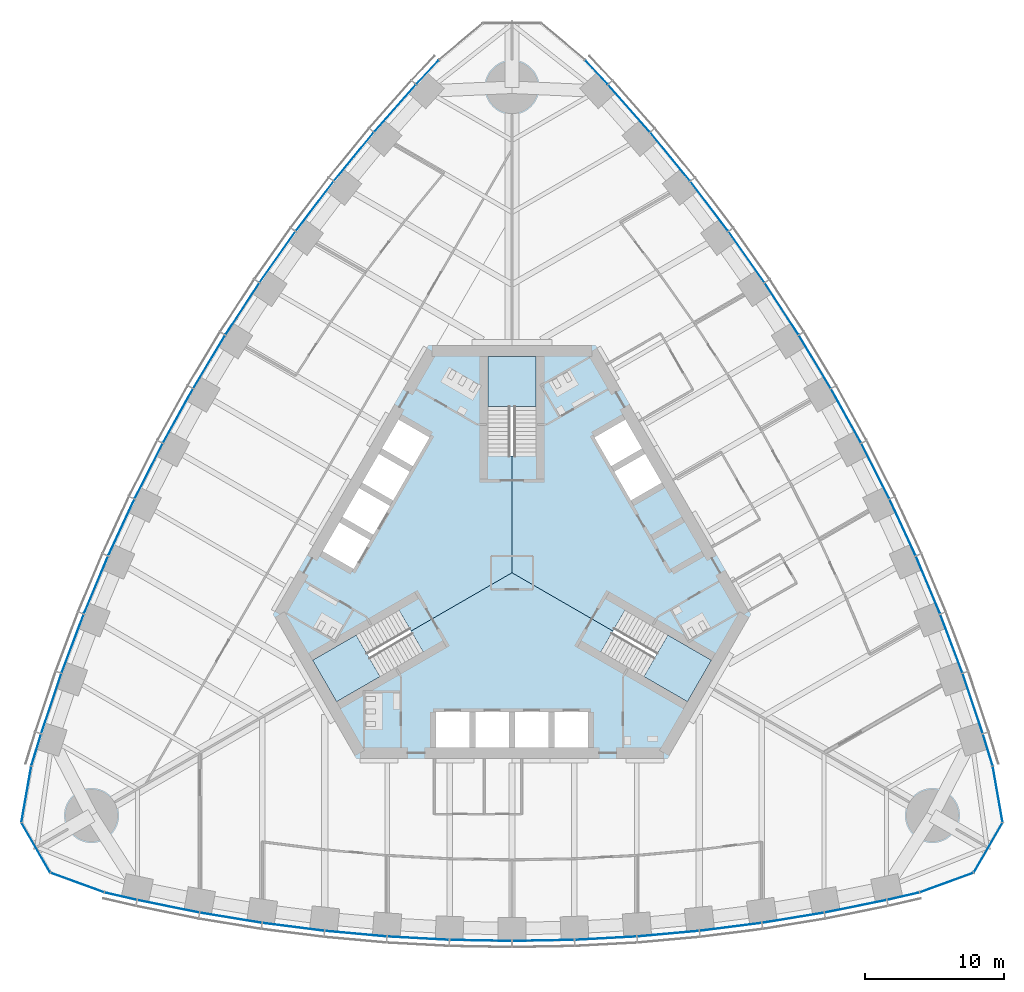
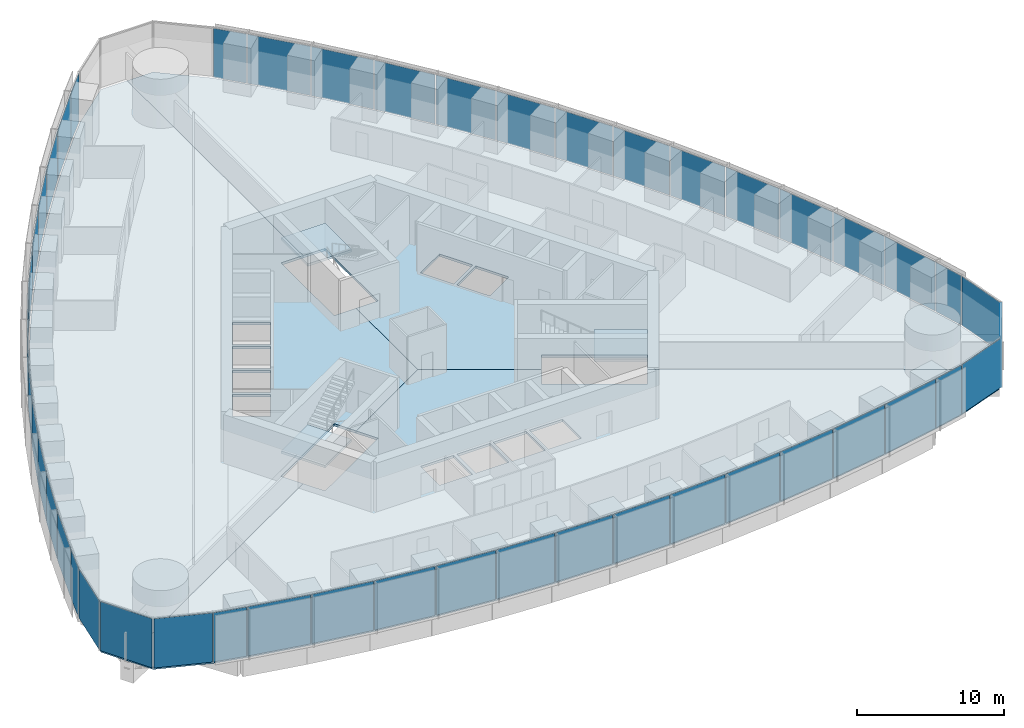
# One storey, part 9 of 18: 48 plates, 6 slabs, 8 elements without a shape of their own.
"""IFC4 building model written with IfcOpenShell, lengths in metres."""

from ifc_helpers import new_model, si_unit, direction, frame, origin, origin_2d, place, context, subcontext, project, spatial, polyline, rectangle, outline, extrude, material, layer, layer_set, type_object, element, aggregate, save


model = new_model("IFC4")

# Units and contexts
model_context = context("Model", 3, precision=1e-05, world=origin(), true_north=direction((0.0, 1.0)))
body_context = subcontext(model_context, "Body", "Model", "MODEL_VIEW")
ifc_project = project(units=[si_unit("LENGTHUNIT", "METRE"), si_unit("AREAUNIT", "SQUARE_METRE"), si_unit("VOLUMEUNIT", "CUBIC_METRE"), si_unit("PLANEANGLEUNIT", "RADIAN"), si_unit("MASSUNIT", "GRAM", prefix="KILO")], contexts=[model_context])

# Site, building, storey
site_placement = place(None, origin())
site = spatial("IfcSite", under=ifc_project, at=site_placement, CompositionType="ELEMENT")
building_placement = place(site_placement, origin())
building = spatial("IfcBuilding", under=site, at=building_placement, Name="Trefoil Bronze Tower", CompositionType="ELEMENT")
storey_placement = place(building_placement, frame((0.0, 0.0, 170.300048828125)))
storey = spatial("IfcBuildingStorey", under=building, at=storey_placement, Name="L39", CompositionType="ELEMENT", Elevation=170.300048828125)

# Curtain wall, plates
ifc_material_1 = material(Name="Tinted solar-control glass", Category="glass")
curtain_wall_type_1 = type_object("IfcCurtainWallType", Name="Bronze office curtain wall", PredefinedType="USERDEFINED", material=ifc_material_1)
curtain_wall_1_placement = place(storey_placement, origin())
curtain_wall_1 = element("IfcCurtainWall", 1, at=curtain_wall_1_placement, inside=storey, type_object=curtain_wall_type_1, Name="CW-A L39 F1", ObjectType="CURTAIN WALL", PredefinedType="USERDEFINED")
ifc_material_2 = material(Name="Tinted solar-control glass", Category="glass")
ifc_layer_1 = layer(ifc_material_2, 0.030029296875)
ifc_layer_set_1 = layer_set([ifc_layer_1], Name="Bronze office curtain wall glass panel")
plate_type_1 = type_object("IfcPlateType", Name="Bronze office curtain wall glass panel", PredefinedType="CURTAIN_PANEL", material=ifc_layer_set_1)
plate_1_placement = place(storey_placement, frame((-28.201416015625, -23.320068359375, 0.0), z_axis=(0.0, 0.0, 1.0), x_axis=(0.97420444715, -0.225667222151, 0.0)))
plate_1 = element("IfcPlate", 2, at=plate_1_placement, type_object=plate_type_1, Name="CW-A L39 F1 panel 1", PredefinedType="CURTAIN_PANEL", context=body_context, shape_type="SweptSolid", body=[
    extrude(rectangle(XDim=2.340087890625, YDim=0.030029296875, at=origin_2d()), origin(), (0.0, 0.0, 1.0), 4.080078125),
])
plate_2_placement = place(storey_placement, frame((-24.769775390625, -24.048828125, 0.0), z_axis=(0.0, 0.0, 1.0), x_axis=(0.980155155547, -0.198231861853, 0.0)))
plate_2 = element("IfcPlate", 3, at=plate_2_placement, type_object=plate_type_1, Name="CW-A L39 F1 panel 2", PredefinedType="CURTAIN_PANEL", context=body_context, shape_type="SweptSolid", body=[
    extrude(rectangle(XDim=4.51123046875, YDim=0.030029296875, at=origin_2d()), origin(), (0.0, 0.0, 1.0), 4.080078125),
])
plate_3_placement = place(storey_placement, frame((-20.26611328125, -24.87451171875, 0.0), z_axis=(0.0, 0.0, 1.0), x_axis=(0.986759655731, -0.162189339418, 0.0)))
plate_3 = element("IfcPlate", 4, at=plate_3_placement, type_object=plate_type_1, Name="CW-A L39 F1 panel 3", PredefinedType="CURTAIN_PANEL", context=body_context, shape_type="SweptSolid", body=[
    extrude(rectangle(XDim=4.48046875, YDim=0.030029296875, at=origin_2d()), origin(), (0.0, 0.0, 1.0), 4.080078125),
])
plate_4_placement = place(storey_placement, frame((-15.7626953125, -25.53076171875, 0.0), z_axis=(0.0, 0.0, 1.0), x_axis=(0.992011554286, -0.126147041833, 0.0)))
plate_4 = element("IfcPlate", 5, at=plate_4_placement, type_object=plate_type_1, Name="CW-A L39 F1 panel 4", PredefinedType="CURTAIN_PANEL", context=body_context, shape_type="SweptSolid", body=[
    extrude(rectangle(XDim=4.456298828125, YDim=0.030029296875, at=origin_2d()), origin(), (0.0, 0.0, 1.0), 4.080078125),
])
plate_5_placement = place(storey_placement, frame((-11.259033203125, -26.02099609375, 0.0), z_axis=(0.0, 0.0, 1.0), x_axis=(0.995932279146, -0.090104913044, 0.0)))
plate_5 = element("IfcPlate", 6, at=plate_5_placement, type_object=plate_type_1, Name="CW-A L39 F1 panel 5", PredefinedType="CURTAIN_PANEL", context=body_context, shape_type="SweptSolid", body=[
    extrude(rectangle(XDim=4.4384765625, YDim=0.030029296875, at=origin_2d()), origin(), (0.0, 0.0, 1.0), 4.080078125),
])
plate_6_placement = place(storey_placement, frame((-6.75537109375, -26.3466796875, 0.0), z_axis=(0.0, 0.0, 1.0), x_axis=(0.998537531923, -0.054062901701, 0.0)))
plate_6 = element("IfcPlate", 7, at=plate_6_placement, type_object=plate_type_1, Name="CW-A L39 F1 panel 6", PredefinedType="CURTAIN_PANEL", context=body_context, shape_type="SweptSolid", body=[
    extrude(rectangle(XDim=4.426513671875, YDim=0.030029296875, at=origin_2d()), origin(), (0.0, 0.0, 1.0), 4.080078125),
])
plate_7_placement = place(storey_placement, frame((-2.251708984375, -26.509033203125, 0.0), z_axis=(0.0, 0.0, 1.0), x_axis=(0.999837609322, -0.018020959612, 0.0)))
plate_7 = element("IfcPlate", 8, at=plate_7_placement, type_object=plate_type_1, Name="CW-A L39 F1 panel 7", PredefinedType="CURTAIN_PANEL", context=body_context, shape_type="SweptSolid", body=[
    extrude(rectangle(XDim=4.420654296875, YDim=0.030029296875, at=origin_2d()), origin(), (0.0, 0.0, 1.0), 4.080078125),
])
plate_8_placement = place(storey_placement, frame((2.251708984375, -26.509033203125, 0.0), z_axis=(0.0, 0.0, 1.0), x_axis=(0.999837609322, 0.018020959612, 0.0)))
plate_8 = element("IfcPlate", 9, at=plate_8_placement, type_object=plate_type_1, Name="CW-A L39 F1 panel 8", PredefinedType="CURTAIN_PANEL", context=body_context, shape_type="SweptSolid", body=[
    extrude(rectangle(XDim=4.420654296875, YDim=0.030029296875, at=origin_2d()), origin(), (0.0, 0.0, 1.0), 4.080078125),
])
plate_9_placement = place(storey_placement, frame((6.75537109375, -26.3466796875, 0.0), z_axis=(0.0, 0.0, 1.0), x_axis=(0.998537531923, 0.054062901701, 0.0)))
plate_9 = element("IfcPlate", 10, at=plate_9_placement, type_object=plate_type_1, Name="CW-A L39 F1 panel 9", PredefinedType="CURTAIN_PANEL", context=body_context, shape_type="SweptSolid", body=[
    extrude(rectangle(XDim=4.426513671875, YDim=0.030029296875, at=origin_2d()), origin(), (0.0, 0.0, 1.0), 4.080078125),
])
plate_10_placement = place(storey_placement, frame((11.259033203125, -26.02099609375, 0.0), z_axis=(0.0, 0.0, 1.0), x_axis=(0.995932279146, 0.090104913044, 0.0)))
plate_10 = element("IfcPlate", 11, at=plate_10_placement, type_object=plate_type_1, Name="CW-A L39 F1 panel 10", PredefinedType="CURTAIN_PANEL", context=body_context, shape_type="SweptSolid", body=[
    extrude(rectangle(XDim=4.4384765625, YDim=0.030029296875, at=origin_2d()), origin(), (0.0, 0.0, 1.0), 4.080078125),
])
plate_11_placement = place(storey_placement, frame((15.7626953125, -25.53076171875, 0.0), z_axis=(0.0, 0.0, 1.0), x_axis=(0.992011554286, 0.126147041833, 0.0)))
plate_11 = element("IfcPlate", 12, at=plate_11_placement, type_object=plate_type_1, Name="CW-A L39 F1 panel 11", PredefinedType="CURTAIN_PANEL", context=body_context, shape_type="SweptSolid", body=[
    extrude(rectangle(XDim=4.456298828125, YDim=0.030029296875, at=origin_2d()), origin(), (0.0, 0.0, 1.0), 4.080078125),
])
plate_12_placement = place(storey_placement, frame((20.26611328125, -24.87451171875, 0.0), z_axis=(0.0, 0.0, 1.0), x_axis=(0.986759655731, 0.162189339418, 0.0)))
plate_12 = element("IfcPlate", 13, at=plate_12_placement, type_object=plate_type_1, Name="CW-A L39 F1 panel 12", PredefinedType="CURTAIN_PANEL", context=body_context, shape_type="SweptSolid", body=[
    extrude(rectangle(XDim=4.48046875, YDim=0.030029296875, at=origin_2d()), origin(), (0.0, 0.0, 1.0), 4.080078125),
])
plate_13_placement = place(storey_placement, frame((24.769775390625, -24.048828125, 0.0), z_axis=(0.0, 0.0, 1.0), x_axis=(0.980155155547, 0.198231861853, 0.0)))
plate_13 = element("IfcPlate", 14, at=plate_13_placement, type_object=plate_type_1, Name="CW-A L39 F1 panel 13", PredefinedType="CURTAIN_PANEL", context=body_context, shape_type="SweptSolid", body=[
    extrude(rectangle(XDim=4.51123046875, YDim=0.030029296875, at=origin_2d()), origin(), (0.0, 0.0, 1.0), 4.080078125),
])
plate_14_placement = place(storey_placement, frame((28.201416015625, -23.320068359375, 0.0), z_axis=(0.0, 0.0, 1.0), x_axis=(0.97420444715, 0.225667222151, 0.0)))
plate_14 = element("IfcPlate", 15, at=plate_14_placement, type_object=plate_type_1, Name="CW-A L39 F1 panel 14", PredefinedType="CURTAIN_PANEL", context=body_context, shape_type="SweptSolid", body=[
    extrude(rectangle(XDim=2.340087890625, YDim=0.030029296875, at=origin_2d()), origin(), (0.0, 0.0, 1.0), 4.080078125),
])
aggregate(curtain_wall_1, [plate_1, plate_2, plate_3, plate_4, plate_5, plate_6, plate_7, plate_8, plate_9, plate_10, plate_11, plate_12, plate_13, plate_14])

curtain_wall_2_placement = place(storey_placement, origin())
curtain_wall_2 = element("IfcCurtainWall", 16, at=curtain_wall_2_placement, inside=storey, type_object=curtain_wall_type_1, Name="CW-A L39 F2", ObjectType="CURTAIN WALL", PredefinedType="USERDEFINED")
plate_15_placement = place(storey_placement, frame((34.296630859375, -12.762939453125, 0.0), z_axis=(0.0, 0.0, 1.0), x_axis=(-0.291668676391, 0.956519410787, 0.0)))
plate_15 = element("IfcPlate", 17, at=plate_15_placement, type_object=plate_type_1, Name="CW-A L39 F2 panel 1", PredefinedType="CURTAIN_PANEL", context=body_context, shape_type="SweptSolid", body=[
    extrude(rectangle(XDim=2.340087890625, YDim=0.030029296875, at=origin_2d()), origin(), (0.0, 0.0, 1.0), 4.080078125),
])
plate_16_placement = place(storey_placement, frame((33.2119140625, -9.4267578125, 0.0), z_axis=(0.0, 0.0, 1.0), x_axis=(-0.318403749569, 0.947955195281, 0.0)))
plate_16 = element("IfcPlate", 18, at=plate_16_placement, type_object=plate_type_1, Name="CW-A L39 F2 panel 2", PredefinedType="CURTAIN_PANEL", context=body_context, shape_type="SweptSolid", body=[
    extrude(rectangle(XDim=4.51123046875, YDim=0.030029296875, at=origin_2d()), origin(), (0.0, 0.0, 1.0), 4.080078125),
])
plate_17_placement = place(storey_placement, frame((31.675048828125, -5.11376953125, 0.0), z_axis=(0.0, 0.0, 1.0), x_axis=(-0.352919739707, 0.935653599002, 0.0)))
plate_17 = element("IfcPlate", 19, at=plate_17_placement, type_object=plate_type_1, Name="CW-A L39 F2 panel 3", PredefinedType="CURTAIN_PANEL", context=body_context, shape_type="SweptSolid", body=[
    extrude(rectangle(XDim=4.48046875, YDim=0.030029296875, at=origin_2d()), origin(), (0.0, 0.0, 1.0), 4.080078125),
])
plate_18_placement = place(storey_placement, frame((29.99169921875, -0.885498046875, 0.0), z_axis=(0.0, 0.0, 1.0), x_axis=(-0.386759234303, 0.922180727776, 0.0)))
plate_18 = element("IfcPlate", 20, at=plate_18_placement, type_object=plate_type_1, Name="CW-A L39 F2 panel 4", PredefinedType="CURTAIN_PANEL", context=body_context, shape_type="SweptSolid", body=[
    extrude(rectangle(XDim=4.456298828125, YDim=0.030029296875, at=origin_2d()), origin(), (0.0, 0.0, 1.0), 4.080078125),
])
plate_19_placement = place(storey_placement, frame((28.164306640625, 3.260009765625, 0.0), z_axis=(0.0, 0.0, 1.0), x_axis=(-0.419932995871, 0.907555110712, 0.0)))
plate_19 = element("IfcPlate", 21, at=plate_19_placement, type_object=plate_type_1, Name="CW-A L39 F2 panel 5", PredefinedType="CURTAIN_PANEL", context=body_context, shape_type="SweptSolid", body=[
    extrude(rectangle(XDim=4.4384765625, YDim=0.030029296875, at=origin_2d()), origin(), (0.0, 0.0, 1.0), 4.080078125),
])
plate_20_placement = place(storey_placement, frame((26.194580078125, 7.322998046875, 0.0), z_axis=(0.0, 0.0, 1.0), x_axis=(-0.452448919686, 0.891790320128, 0.0)))
plate_20 = element("IfcPlate", 22, at=plate_20_placement, type_object=plate_type_1, Name="CW-A L39 F2 panel 6", PredefinedType="CURTAIN_PANEL", context=body_context, shape_type="SweptSolid", body=[
    extrude(rectangle(XDim=4.426513671875, YDim=0.030029296875, at=origin_2d()), origin(), (0.0, 0.0, 1.0), 4.080078125),
])
plate_21_placement = place(storey_placement, frame((24.08349609375, 11.304443359375, 0.0), z_axis=(0.0, 0.0, 1.0), x_axis=(-0.484312195836, 0.874895249138, 0.0)))
plate_21 = element("IfcPlate", 23, at=plate_21_placement, type_object=plate_type_1, Name="CW-A L39 F2 panel 7", PredefinedType="CURTAIN_PANEL", context=body_context, shape_type="SweptSolid", body=[
    extrude(rectangle(XDim=4.420654296875, YDim=0.030029296875, at=origin_2d()), origin(), (0.0, 0.0, 1.0), 4.080078125),
])
plate_22_placement = place(storey_placement, frame((21.83154296875, 15.20458984375, 0.0), z_axis=(0.0, 0.0, 1.0), x_axis=(-0.515525413486, 0.856874289526, 0.0)))
plate_22 = element("IfcPlate", 24, at=plate_22_placement, type_object=plate_type_1, Name="CW-A L39 F2 panel 8", PredefinedType="CURTAIN_PANEL", context=body_context, shape_type="SweptSolid", body=[
    extrude(rectangle(XDim=4.420654296875, YDim=0.030029296875, at=origin_2d()), origin(), (0.0, 0.0, 1.0), 4.080078125),
])
plate_23_placement = place(storey_placement, frame((19.439208984375, 19.023681640625, 0.0), z_axis=(0.0, 0.0, 1.0), x_axis=(-0.546088612237, 0.837727418427, 0.0)))
plate_23 = element("IfcPlate", 25, at=plate_23_placement, type_object=plate_type_1, Name="CW-A L39 F2 panel 9", PredefinedType="CURTAIN_PANEL", context=body_context, shape_type="SweptSolid", body=[
    extrude(rectangle(XDim=4.426513671875, YDim=0.030029296875, at=origin_2d()), origin(), (0.0, 0.0, 1.0), 4.080078125),
])
plate_24_placement = place(storey_placement, frame((16.9052734375, 22.760986328125, 0.0), z_axis=(0.0, 0.0, 1.0), x_axis=(-0.575999283275, 0.817450197667, 0.0)))
plate_24 = element("IfcPlate", 26, at=plate_24_placement, type_object=plate_type_1, Name="CW-A L39 F2 panel 10", PredefinedType="CURTAIN_PANEL", context=body_context, shape_type="SweptSolid", body=[
    extrude(rectangle(XDim=4.4384765625, YDim=0.030029296875, at=origin_2d()), origin(), (0.0, 0.0, 1.0), 4.080078125),
])
plate_25_placement = place(storey_placement, frame((14.22900390625, 26.416259765625, 0.0), z_axis=(0.0, 0.0, 1.0), x_axis=(-0.605252319983, 0.796033685943, 0.0)))
plate_25 = element("IfcPlate", 27, at=plate_25_placement, type_object=plate_type_1, Name="CW-A L39 F2 panel 11", PredefinedType="CURTAIN_PANEL", context=body_context, shape_type="SweptSolid", body=[
    extrude(rectangle(XDim=4.456298828125, YDim=0.030029296875, at=origin_2d()), origin(), (0.0, 0.0, 1.0), 4.080078125),
])
plate_26_placement = place(storey_placement, frame((11.40869140625, 29.98828125, 0.0), z_axis=(0.0, 0.0, 1.0), x_axis=(-0.633839916024, 0.773464259584, 0.0)))
plate_26 = element("IfcPlate", 28, at=plate_26_placement, type_object=plate_type_1, Name="CW-A L39 F2 panel 12", PredefinedType="CURTAIN_PANEL", context=body_context, shape_type="SweptSolid", body=[
    extrude(rectangle(XDim=4.48046875, YDim=0.030029296875, at=origin_2d()), origin(), (0.0, 0.0, 1.0), 4.080078125),
])
plate_27_placement = place(storey_placement, frame((8.442138671875, 33.475830078125, 0.0), z_axis=(0.0, 0.0, 1.0), x_axis=(-0.661751405978, 0.749723333428, 0.0)))
plate_27 = element("IfcPlate", 29, at=plate_27_placement, type_object=plate_type_1, Name="CW-A L39 F2 panel 13", PredefinedType="CURTAIN_PANEL", context=body_context, shape_type="SweptSolid", body=[
    extrude(rectangle(XDim=4.51123046875, YDim=0.030029296875, at=origin_2d()), origin(), (0.0, 0.0, 1.0), 4.080078125),
])
plate_28_placement = place(storey_placement, frame((6.09521484375, 36.083251953125, 0.0), z_axis=(0.0, 0.0, 1.0), x_axis=(-0.682535770759, 0.730852188636, 0.0)))
plate_28 = element("IfcPlate", 30, at=plate_28_placement, type_object=plate_type_1, Name="CW-A L39 F2 panel 14", PredefinedType="CURTAIN_PANEL", context=body_context, shape_type="SweptSolid", body=[
    extrude(rectangle(XDim=2.340087890625, YDim=0.030029296875, at=origin_2d()), origin(), (0.0, 0.0, 1.0), 4.080078125),
])
aggregate(curtain_wall_2, [plate_15, plate_16, plate_17, plate_18, plate_19, plate_20, plate_21, plate_22, plate_23, plate_24, plate_25, plate_26, plate_27, plate_28])

curtain_wall_3_placement = place(storey_placement, origin())
curtain_wall_3 = element("IfcCurtainWall", 31, at=curtain_wall_3_placement, inside=storey, type_object=curtain_wall_type_1, Name="CW-A L39 F3", ObjectType="CURTAIN WALL", PredefinedType="USERDEFINED")
plate_29_placement = place(storey_placement, frame((-6.09521484375, 36.083251953125, 0.0), z_axis=(0.0, 0.0, 1.0), x_axis=(-0.682535770759, -0.730852188636, 0.0)))
plate_29 = element("IfcPlate", 32, at=plate_29_placement, type_object=plate_type_1, Name="CW-A L39 F3 panel 1", PredefinedType="CURTAIN_PANEL", context=body_context, shape_type="SweptSolid", body=[
    extrude(rectangle(XDim=2.340087890625, YDim=0.030029296875, at=origin_2d()), origin(), (0.0, 0.0, 1.0), 4.080078125),
])
plate_30_placement = place(storey_placement, frame((-8.442138671875, 33.475830078125, 0.0), z_axis=(0.0, 0.0, 1.0), x_axis=(-0.661751405978, -0.749723333428, 0.0)))
plate_30 = element("IfcPlate", 33, at=plate_30_placement, type_object=plate_type_1, Name="CW-A L39 F3 panel 2", PredefinedType="CURTAIN_PANEL", context=body_context, shape_type="SweptSolid", body=[
    extrude(rectangle(XDim=4.51123046875, YDim=0.030029296875, at=origin_2d()), origin(), (0.0, 0.0, 1.0), 4.080078125),
])
plate_31_placement = place(storey_placement, frame((-11.40869140625, 29.98828125, 0.0), z_axis=(0.0, 0.0, 1.0), x_axis=(-0.633839916024, -0.773464259584, 0.0)))
plate_31 = element("IfcPlate", 34, at=plate_31_placement, type_object=plate_type_1, Name="CW-A L39 F3 panel 3", PredefinedType="CURTAIN_PANEL", context=body_context, shape_type="SweptSolid", body=[
    extrude(rectangle(XDim=4.48046875, YDim=0.030029296875, at=origin_2d()), origin(), (0.0, 0.0, 1.0), 4.080078125),
])
plate_32_placement = place(storey_placement, frame((-14.22900390625, 26.416259765625, 0.0), z_axis=(0.0, 0.0, 1.0), x_axis=(-0.605252319983, -0.796033685943, 0.0)))
plate_32 = element("IfcPlate", 35, at=plate_32_placement, type_object=plate_type_1, Name="CW-A L39 F3 panel 4", PredefinedType="CURTAIN_PANEL", context=body_context, shape_type="SweptSolid", body=[
    extrude(rectangle(XDim=4.456298828125, YDim=0.030029296875, at=origin_2d()), origin(), (0.0, 0.0, 1.0), 4.080078125),
])
plate_33_placement = place(storey_placement, frame((-16.9052734375, 22.760986328125, 0.0), z_axis=(0.0, 0.0, 1.0), x_axis=(-0.575999283275, -0.817450197667, 0.0)))
plate_33 = element("IfcPlate", 36, at=plate_33_placement, type_object=plate_type_1, Name="CW-A L39 F3 panel 5", PredefinedType="CURTAIN_PANEL", context=body_context, shape_type="SweptSolid", body=[
    extrude(rectangle(XDim=4.4384765625, YDim=0.030029296875, at=origin_2d()), origin(), (0.0, 0.0, 1.0), 4.080078125),
])
plate_34_placement = place(storey_placement, frame((-19.439208984375, 19.023681640625, 0.0), z_axis=(0.0, 0.0, 1.0), x_axis=(-0.546088612237, -0.837727418427, 0.0)))
plate_34 = element("IfcPlate", 37, at=plate_34_placement, type_object=plate_type_1, Name="CW-A L39 F3 panel 6", PredefinedType="CURTAIN_PANEL", context=body_context, shape_type="SweptSolid", body=[
    extrude(rectangle(XDim=4.426513671875, YDim=0.030029296875, at=origin_2d()), origin(), (0.0, 0.0, 1.0), 4.080078125),
])
plate_35_placement = place(storey_placement, frame((-21.83154296875, 15.20458984375, 0.0), z_axis=(0.0, 0.0, 1.0), x_axis=(-0.515525413486, -0.856874289526, 0.0)))
plate_35 = element("IfcPlate", 38, at=plate_35_placement, type_object=plate_type_1, Name="CW-A L39 F3 panel 7", PredefinedType="CURTAIN_PANEL", context=body_context, shape_type="SweptSolid", body=[
    extrude(rectangle(XDim=4.420654296875, YDim=0.030029296875, at=origin_2d()), origin(), (0.0, 0.0, 1.0), 4.080078125),
])
plate_36_placement = place(storey_placement, frame((-24.08349609375, 11.304443359375, 0.0), z_axis=(0.0, 0.0, 1.0), x_axis=(-0.484312195836, -0.874895249138, 0.0)))
plate_36 = element("IfcPlate", 39, at=plate_36_placement, type_object=plate_type_1, Name="CW-A L39 F3 panel 8", PredefinedType="CURTAIN_PANEL", context=body_context, shape_type="SweptSolid", body=[
    extrude(rectangle(XDim=4.420654296875, YDim=0.030029296875, at=origin_2d()), origin(), (0.0, 0.0, 1.0), 4.080078125),
])
plate_37_placement = place(storey_placement, frame((-26.194580078125, 7.322998046875, 0.0), z_axis=(0.0, 0.0, 1.0), x_axis=(-0.452448919686, -0.891790320128, 0.0)))
plate_37 = element("IfcPlate", 40, at=plate_37_placement, type_object=plate_type_1, Name="CW-A L39 F3 panel 9", PredefinedType="CURTAIN_PANEL", context=body_context, shape_type="SweptSolid", body=[
    extrude(rectangle(XDim=4.426513671875, YDim=0.030029296875, at=origin_2d()), origin(), (0.0, 0.0, 1.0), 4.080078125),
])
plate_38_placement = place(storey_placement, frame((-28.164306640625, 3.260009765625, 0.0), z_axis=(0.0, 0.0, 1.0), x_axis=(-0.419932995871, -0.907555110712, 0.0)))
plate_38 = element("IfcPlate", 41, at=plate_38_placement, type_object=plate_type_1, Name="CW-A L39 F3 panel 10", PredefinedType="CURTAIN_PANEL", context=body_context, shape_type="SweptSolid", body=[
    extrude(rectangle(XDim=4.4384765625, YDim=0.030029296875, at=origin_2d()), origin(), (0.0, 0.0, 1.0), 4.080078125),
])
plate_39_placement = place(storey_placement, frame((-29.99169921875, -0.885498046875, 0.0), z_axis=(0.0, 0.0, 1.0), x_axis=(-0.386759234303, -0.922180727776, 0.0)))
plate_39 = element("IfcPlate", 42, at=plate_39_placement, type_object=plate_type_1, Name="CW-A L39 F3 panel 11", PredefinedType="CURTAIN_PANEL", context=body_context, shape_type="SweptSolid", body=[
    extrude(rectangle(XDim=4.456298828125, YDim=0.030029296875, at=origin_2d()), origin(), (0.0, 0.0, 1.0), 4.080078125),
])
plate_40_placement = place(storey_placement, frame((-31.675048828125, -5.11376953125, 0.0), z_axis=(0.0, 0.0, 1.0), x_axis=(-0.352919739707, -0.935653599002, 0.0)))
plate_40 = element("IfcPlate", 43, at=plate_40_placement, type_object=plate_type_1, Name="CW-A L39 F3 panel 12", PredefinedType="CURTAIN_PANEL", context=body_context, shape_type="SweptSolid", body=[
    extrude(rectangle(XDim=4.48046875, YDim=0.030029296875, at=origin_2d()), origin(), (0.0, 0.0, 1.0), 4.080078125),
])
plate_41_placement = place(storey_placement, frame((-33.2119140625, -9.4267578125, 0.0), z_axis=(0.0, 0.0, 1.0), x_axis=(-0.318403749569, -0.947955195281, 0.0)))
plate_41 = element("IfcPlate", 44, at=plate_41_placement, type_object=plate_type_1, Name="CW-A L39 F3 panel 13", PredefinedType="CURTAIN_PANEL", context=body_context, shape_type="SweptSolid", body=[
    extrude(rectangle(XDim=4.51123046875, YDim=0.030029296875, at=origin_2d()), origin(), (0.0, 0.0, 1.0), 4.080078125),
])
plate_42_placement = place(storey_placement, frame((-34.296630859375, -12.762939453125, 0.0), z_axis=(0.0, 0.0, 1.0), x_axis=(-0.291668676391, -0.956519410787, 0.0)))
plate_42 = element("IfcPlate", 45, at=plate_42_placement, type_object=plate_type_1, Name="CW-A L39 F3 panel 14", PredefinedType="CURTAIN_PANEL", context=body_context, shape_type="SweptSolid", body=[
    extrude(rectangle(XDim=2.340087890625, YDim=0.030029296875, at=origin_2d()), origin(), (0.0, 0.0, 1.0), 4.080078125),
])
aggregate(curtain_wall_3, [plate_29, plate_30, plate_31, plate_32, plate_33, plate_34, plate_35, plate_36, plate_37, plate_38, plate_39, plate_40, plate_41, plate_42])

ifc_material_3 = material(Name="Tinted solar-control glass", Category="glass")
curtain_wall_type_2 = type_object("IfcCurtainWallType", Name="Bronze rounded corner curtain wall", PredefinedType="USERDEFINED", material=ifc_material_3)
curtain_wall_4_placement = place(storey_placement, origin())
curtain_wall_4 = element("IfcCurtainWall", 46, at=curtain_wall_4_placement, inside=storey, type_object=curtain_wall_type_2, Name="CW-B L39 K1", ObjectType="CURTAIN WALL", PredefinedType="USERDEFINED")
ifc_material_4 = material(Name="Tinted solar-control glass", Category="glass")
ifc_layer_2 = layer(ifc_material_4, 0.030029296875)
ifc_layer_set_2 = layer_set([ifc_layer_2], Name="Bronze rounded corner curtain wall glass panel")
plate_type_2 = type_object("IfcPlateType", Name="Bronze rounded corner curtain wall glass panel", PredefinedType="CURTAIN_PANEL", material=ifc_layer_set_2)
plate_43_placement = place(storey_placement, frame((31.3203125, -22.341796875, 0.0), z_axis=(0.0, 0.0, 1.0), x_axis=(0.939692620786, 0.342020143326, 0.0)))
plate_43 = element("IfcPlate", 47, at=plate_43_placement, type_object=plate_type_2, Name="CW-B L39 K1 panel 1", PredefinedType="CURTAIN_PANEL", context=body_context, shape_type="SweptSolid", body=[
    extrude(rectangle(XDim=4.044189453125, YDim=0.030029296875, at=origin_2d()), origin(), (0.0, 0.0, 1.0), 4.080078125),
])
plate_44_placement = place(storey_placement, frame((34.3271484375, -19.81884765625, 0.0), z_axis=(0.0, 0.0, 1.0), x_axis=(0.5, 0.866025403784, 0.0)))
plate_44 = element("IfcPlate", 48, at=plate_44_placement, type_object=plate_type_2, Name="CW-B L39 K1 panel 2", PredefinedType="CURTAIN_PANEL", context=body_context, shape_type="SweptSolid", body=[
    extrude(rectangle(XDim=4.044189453125, YDim=0.030029296875, at=origin_2d()), origin(), (0.0, 0.0, 1.0), 4.080078125),
])
plate_45_placement = place(storey_placement, frame((35.0087890625, -15.953369140625, 0.0), z_axis=(0.0, 0.0, 1.0), x_axis=(-0.173648177667, 0.984807753012, 0.0)))
plate_45 = element("IfcPlate", 49, at=plate_45_placement, type_object=plate_type_2, Name="CW-B L39 K1 panel 3", PredefinedType="CURTAIN_PANEL", context=body_context, shape_type="SweptSolid", body=[
    extrude(rectangle(XDim=4.044189453125, YDim=0.030029296875, at=origin_2d()), origin(), (0.0, 0.0, 1.0), 4.080078125),
])
aggregate(curtain_wall_4, [plate_43, plate_44, plate_45])

curtain_wall_5_placement = place(storey_placement, origin())
curtain_wall_5 = element("IfcCurtainWall", 50, at=curtain_wall_5_placement, inside=storey, type_object=curtain_wall_type_2, Name="CW-B L39 K3", ObjectType="CURTAIN WALL", PredefinedType="USERDEFINED")
plate_46_placement = place(storey_placement, frame((-35.0087890625, -15.953369140625, 0.0), z_axis=(0.0, 0.0, 1.0), x_axis=(-0.173648177667, -0.984807753012, 0.0)))
plate_46 = element("IfcPlate", 51, at=plate_46_placement, type_object=plate_type_2, Name="CW-B L39 K3 panel 1", PredefinedType="CURTAIN_PANEL", context=body_context, shape_type="SweptSolid", body=[
    extrude(rectangle(XDim=4.044189453125, YDim=0.030029296875, at=origin_2d()), origin(), (0.0, 0.0, 1.0), 4.080078125),
])
plate_47_placement = place(storey_placement, frame((-34.3271484375, -19.81884765625, 0.0), z_axis=(0.0, 0.0, 1.0), x_axis=(0.5, -0.866025403784, 0.0)))
plate_47 = element("IfcPlate", 52, at=plate_47_placement, type_object=plate_type_2, Name="CW-B L39 K3 panel 2", PredefinedType="CURTAIN_PANEL", context=body_context, shape_type="SweptSolid", body=[
    extrude(rectangle(XDim=4.044189453125, YDim=0.030029296875, at=origin_2d()), origin(), (0.0, 0.0, 1.0), 4.080078125),
])
plate_48_placement = place(storey_placement, frame((-31.3203125, -22.341796875, 0.0), z_axis=(0.0, 0.0, 1.0), x_axis=(0.939692620786, -0.342020143326, 0.0)))
plate_48 = element("IfcPlate", 53, at=plate_48_placement, type_object=plate_type_2, Name="CW-B L39 K3 panel 3", PredefinedType="CURTAIN_PANEL", context=body_context, shape_type="SweptSolid", body=[
    extrude(rectangle(XDim=4.044189453125, YDim=0.030029296875, at=origin_2d()), origin(), (0.0, 0.0, 1.0), 4.080078125),
])
aggregate(curtain_wall_5, [plate_46, plate_47, plate_48])

# Slabs
ifc_material_5 = material(Name="Concrete B30", Category="concrete")
ifc_layer_3 = layer(ifc_material_5, 0.199951171875)
ifc_layer_set_3 = layer_set([ifc_layer_3], Name="Floor slab 200")
slab_type_1 = type_object("IfcSlabType", Name="Floor slab 200", PredefinedType="FLOOR", material=ifc_layer_set_3)
slab_1_placement = place(storey_placement, frame((0.0, 0.0, -0.199951171875)))
element("IfcSlab", 54, at=slab_1_placement, inside=storey, type_object=slab_type_1, Name="Floor slab L39 face 1", PredefinedType="FLOOR", context=body_context, shape_type="SweptSolid", body=[
    extrude(outline(polyline([(22.5, -24.406005859375), (18.0, -25.1455078125), (13.5, -25.7177734375), (9.0, -26.125), (4.5, -26.36865234375), (0.0, -26.44970703125), (-4.5, -26.36865234375), (-9.0, -26.125), (-13.5, -25.7177734375), (-18.0, -25.1455078125), (-22.5, -24.406005859375), (-27.0, -23.495849609375), (-29.357666015625, -22.94970703125), (-33.21435546875, -21.5458984375), (-34.240478515625, -19.768798828125), (-13.510009765625, -7.800048828125), (-12.6474609375, -9.2939453125), (-6.412109375, -5.69384765625), (-7.274658203125, -4.199951171875), (0.0, 0.0), (7.274658203125, -4.199951171875), (6.412109375, -5.69384765625), (12.6474609375, -9.2939453125), (13.510009765625, -7.800048828125), (34.240478515625, -19.768798828125), (33.21435546875, -21.5458984375), (29.357666015625, -22.94970703125), (27.0, -23.495849609375), (22.5, -24.406005859375)]), holes=[polyline([(-5.574951171875, -10.02490234375), (-2.97509765625, -10.02490234375), (-2.97509765625, -12.60009765625), (-5.574951171875, -12.60009765625), (-5.574951171875, -10.02490234375)]), polyline([(-2.72509765625, -10.02490234375), (-0.125, -10.02490234375), (-0.125, -12.60009765625), (-2.72509765625, -12.60009765625), (-2.72509765625, -10.02490234375)]), polyline([(0.125, -10.02490234375), (2.72509765625, -10.02490234375), (2.72509765625, -12.60009765625), (0.125, -12.60009765625), (0.125, -10.02490234375)]), polyline([(2.97509765625, -10.02490234375), (5.574951171875, -10.02490234375), (5.574951171875, -12.60009765625), (2.97509765625, -12.60009765625), (2.97509765625, -10.02490234375)])]), origin(), (0.0, 0.0, 1.0), 0.199951171875),
])
slab_2_placement = place(storey_placement, frame((0.0, 0.0, -0.199951171875)))
element("IfcSlab", 55, at=slab_2_placement, inside=storey, type_object=slab_type_1, Name="Floor slab L39 face 2", PredefinedType="FLOOR", context=body_context, shape_type="SweptSolid", body=[
    extrude(outline(polyline([(9.88623046875, 31.6884765625), (12.776611328125, 28.1611328125), (15.522216796875, 24.55029296875), (18.124755859375, 20.856689453125), (20.5859375, 17.081298828125), (22.906005859375, 13.224853515625), (25.0859375, 9.287109375), (27.124755859375, 5.268310546875), (29.022216796875, 1.16748046875), (30.776611328125, -3.015625), (32.38623046875, -7.28271484375), (33.847900390625, -11.634765625), (34.553955078125, -13.94970703125), (35.2666015625, -17.991455078125), (34.240478515625, -19.768798828125), (13.510009765625, -7.800048828125), (14.37255859375, -6.30615234375), (8.13720703125, -2.7060546875), (7.274658203125, -4.199951171875), (0.0, 0.0), (0.0, 8.39990234375), (1.72509765625, 8.39990234375), (1.72509765625, 15.60009765625), (0.0, 15.60009765625), (0.0, 39.53759765625), (2.052001953125, 39.53759765625), (5.196044921875, 36.8994140625), (6.847900390625, 35.130615234375), (9.88623046875, 31.6884765625)]), holes=[polyline([(8.619384765625, 5.120849609375), (7.3193359375, 7.372314453125), (9.54931640625, 8.659912109375), (10.849365234375, 6.408203125), (8.619384765625, 5.120849609375)]), polyline([(7.1943359375, 7.5888671875), (5.894287109375, 9.840576171875), (8.12451171875, 11.128173828125), (9.42431640625, 8.87646484375), (7.1943359375, 7.5888671875)])]), origin(), (0.0, 0.0, 1.0), 0.199951171875),
])
slab_3_placement = place(storey_placement, frame((0.0, 0.0, -0.199951171875)))
element("IfcSlab", 56, at=slab_3_placement, inside=storey, type_object=slab_type_1, Name="Floor slab L39 face 3", PredefinedType="FLOOR", context=body_context, shape_type="SweptSolid", body=[
    extrude(outline(polyline([(-32.38623046875, -7.28271484375), (-30.776611328125, -3.015625), (-29.022216796875, 1.16748046875), (-27.124755859375, 5.268310546875), (-25.0859375, 9.287109375), (-22.906005859375, 13.224853515625), (-20.5859375, 17.081298828125), (-18.124755859375, 20.856689453125), (-15.522216796875, 24.55029296875), (-12.776611328125, 28.1611328125), (-9.88623046875, 31.6884765625), (-6.847900390625, 35.130615234375), (-5.196044921875, 36.8994140625), (-2.052001953125, 39.53759765625), (0.0, 39.53759765625), (0.0, 15.60009765625), (-1.72509765625, 15.60009765625), (-1.72509765625, 8.39990234375), (0.0, 8.39990234375), (0.0, 0.0), (-7.274658203125, -4.199951171875), (-8.13720703125, -2.7060546875), (-14.37255859375, -6.30615234375), (-13.510009765625, -7.800048828125), (-34.240478515625, -19.768798828125), (-35.2666015625, -17.991455078125), (-34.553955078125, -13.94970703125), (-33.847900390625, -11.634765625), (-32.38623046875, -7.28271484375)]), holes=[polyline([(-5.894287109375, 9.840576171875), (-7.1943359375, 7.5888671875), (-9.42431640625, 8.87646484375), (-8.12451171875, 11.128173828125), (-5.894287109375, 9.840576171875)]), polyline([(-7.3193359375, 7.372314453125), (-8.619384765625, 5.120849609375), (-10.849365234375, 6.408203125), (-9.54931640625, 8.659912109375), (-7.3193359375, 7.372314453125)]), polyline([(-8.744384765625, 4.904296875), (-10.04443359375, 2.652587890625), (-12.2744140625, 3.940185546875), (-10.974365234375, 6.191650390625), (-8.744384765625, 4.904296875)]), polyline([(-10.16943359375, 2.43603515625), (-11.469482421875, 0.184326171875), (-13.699462890625, 1.471923828125), (-12.3994140625, 3.7236328125), (-10.16943359375, 2.43603515625)])]), origin(), (0.0, 0.0, 1.0), 0.199951171875),
])

# Stair, slab
ifc_material_6 = material(Name="Precast concrete B80", Category="concrete")
stair_type = type_object("IfcStairType", Name="Exit stair 26 risers", PredefinedType="HALF_TURN_STAIR", material=ifc_material_6)
stair_1_placement = place(storey_placement, origin())
stair_1 = element("IfcStair", 57, at=stair_1_placement, inside=storey, type_object=stair_type, Name="Stair ST1 L39", PredefinedType="HALF_TURN_STAIR")
ifc_material_7 = material(Name="Concrete B30", Category="concrete")
ifc_layer_4 = layer(ifc_material_7, 0.199951171875)
ifc_layer_set_4 = layer_set([ifc_layer_4], Name="Stair landing 200")
slab_type_2 = type_object("IfcSlabType", Name="Stair landing 200", PredefinedType="LANDING", material=ifc_layer_set_4)
slab_4_placement = place(storey_placement, frame((0.0, 0.0, 1.89990234375)))
slab_4 = element("IfcSlab", 58, at=slab_4_placement, type_object=slab_type_2, Name="ST1 landing 1", PredefinedType="LANDING", context=body_context, shape_type="SweptSolid", body=[
    extrude(outline(polyline([(9.512451171875, -7.48388671875), (12.6474609375, -9.2939453125), (14.37255859375, -6.30615234375), (11.237548828125, -4.49609375), (9.512451171875, -7.48388671875)])), origin(), (0.0, 0.0, 1.0), 0.199951171875),
])
aggregate(stair_1, [slab_4])

stair_2_placement = place(storey_placement, origin())
stair_2 = element("IfcStair", 59, at=stair_2_placement, inside=storey, type_object=stair_type, Name="Stair ST2 L39", PredefinedType="HALF_TURN_STAIR")
slab_5_placement = place(storey_placement, frame((0.0, 0.0, 1.89990234375)))
slab_5 = element("IfcSlab", 60, at=slab_5_placement, type_object=slab_type_2, Name="ST2 landing 1", PredefinedType="LANDING", context=body_context, shape_type="SweptSolid", body=[
    extrude(outline(polyline([(1.72509765625, 11.97998046875), (1.72509765625, 15.60009765625), (-1.72509765625, 15.60009765625), (-1.72509765625, 11.97998046875), (1.72509765625, 11.97998046875)])), origin(), (0.0, 0.0, 1.0), 0.199951171875),
])
aggregate(stair_2, [slab_5])

stair_3_placement = place(storey_placement, origin())
stair_3 = element("IfcStair", 61, at=stair_3_placement, inside=storey, type_object=stair_type, Name="Stair ST3 L39", PredefinedType="HALF_TURN_STAIR")
slab_6_placement = place(storey_placement, frame((0.0, 0.0, 1.89990234375)))
slab_6 = element("IfcSlab", 62, at=slab_6_placement, type_object=slab_type_2, Name="ST3 landing 1", PredefinedType="LANDING", context=body_context, shape_type="SweptSolid", body=[
    extrude(outline(polyline([(-11.237548828125, -4.49609375), (-14.37255859375, -6.30615234375), (-12.6474609375, -9.2939453125), (-9.512451171875, -7.48388671875), (-11.237548828125, -4.49609375)])), origin(), (0.0, 0.0, 1.0), 0.199951171875),
])
aggregate(stair_3, [slab_6])

save(model, "model.ifc")
